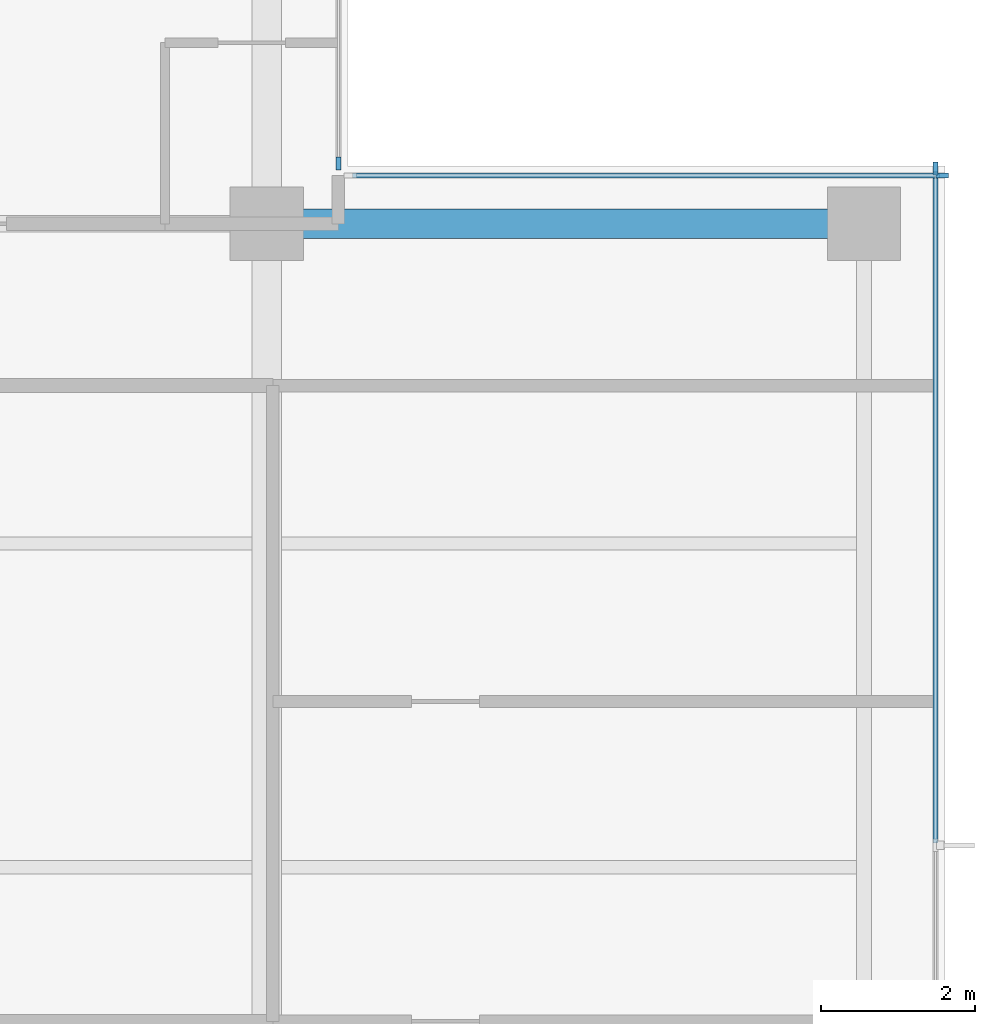
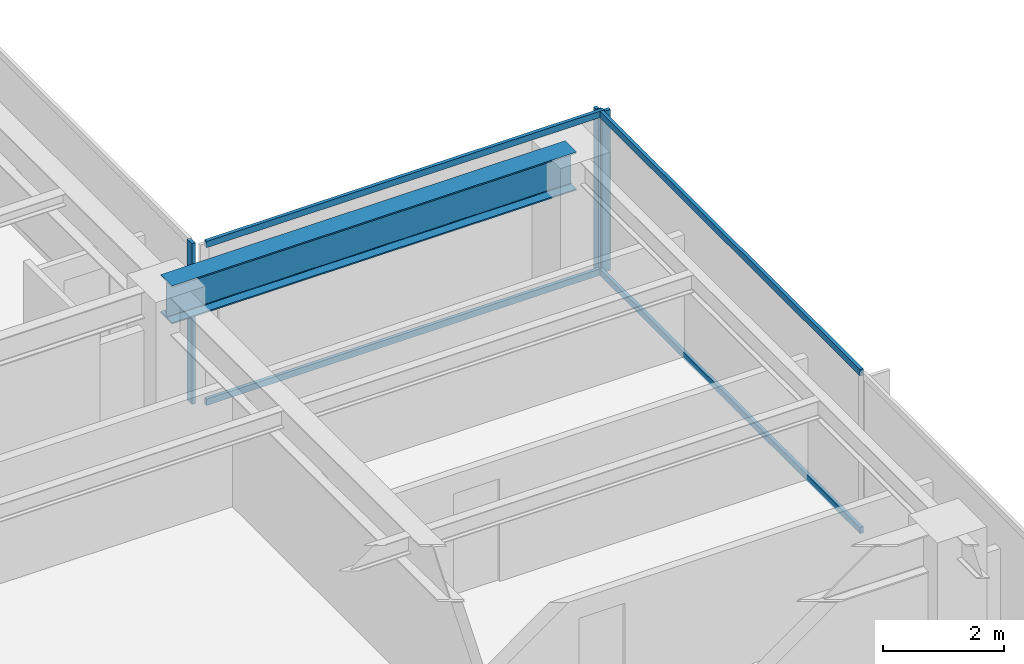
# One storey, part 4 of 14: 7 members, 1 beam, 3 elements without a shape of their own.
"""IFC4 building model written with IfcOpenShell, lengths in metres."""

from ifc_helpers import new_model, si_unit, direction, frame, origin, origin_2d, place, context, subcontext, project, spatial, rectangle, i_section, extrude, material, layer, layer_set, material_profile, profile_set, type_object, element, aggregate, save


model = new_model("IFC4")

# Units and contexts
model_context = context("Model", 3, precision=1e-05, world=origin(), true_north=direction((0.0, 1.0)))
body_context = subcontext(model_context, "Body", "Model", "MODEL_VIEW")
ifc_project = project(units=[si_unit("LENGTHUNIT", "METRE"), si_unit("AREAUNIT", "SQUARE_METRE"), si_unit("VOLUMEUNIT", "CUBIC_METRE"), si_unit("PLANEANGLEUNIT", "RADIAN"), si_unit("MASSUNIT", "GRAM", prefix="KILO")], contexts=[model_context])

# Site, building, storey
site_placement = place(None, origin())
site = spatial("IfcSite", under=ifc_project, at=site_placement, CompositionType="ELEMENT")
building_placement = place(site_placement, origin())
building = spatial("IfcBuilding", under=site, at=building_placement, Name="Qalmaran Belvedere Hotel", CompositionType="ELEMENT")
storey_placement = place(building_placement, frame((0.0, 0.0, 207.39990234375)))
storey = spatial("IfcBuildingStorey", under=building, at=storey_placement, Name="L52", CompositionType="ELEMENT", Elevation=207.39990234375)

# Beam
ifc_material_1 = material(Name="Steel S355JR", Category="steel")
ifc_material_profile_1 = material_profile(ifc_material_1, i_section(OverallWidth=0.381103515625, OverallDepth=0.77294921875, WebThickness=0.0166015625, FlangeThickness=0.027099609375, FilletRadius=0.02197265625, at=origin_2d()), Name="W760X257")
ifc_profile_set_1 = profile_set([ifc_material_profile_1], Name="Steel S355JR")
beam_type = type_object("IfcBeamType", Name="BM-PG4-W760X257", PredefinedType="USERDEFINED", material=ifc_profile_set_1)
beam_placement = place(storey_placement, frame((44.800048828125, 33.0, 2.87353515625), z_axis=(1.0, 0.0, 0.0), x_axis=(0.0, 1.0, 0.0)))
element("IfcBeam", 1, at=beam_placement, inside=storey, type_object=beam_type, Name="L52 East Wing Girder 27", ObjectType="GIRDER", PredefinedType="USERDEFINED", context=body_context, shape_type="SweptSolid", body=[
    extrude(i_section(OverallWidth=0.381103515625, OverallDepth=0.77294921875, WebThickness=0.0166015625, FlangeThickness=0.027099609375, FilletRadius=0.02197265625, at=origin_2d()), origin(), (0.0, 0.0, 1.0), 7.75),
])

# Curtain wall, member
ifc_material_2 = material(Name="Anodised Bronze Aluminium", Category="aluminium")
ifc_layer = layer(ifc_material_2, 0.18994140625, Name="Anodised Bronze Aluminium")
ifc_layer_set = layer_set([ifc_layer], Name="Anodised Bronze Aluminium")
curtain_wall_type = type_object("IfcCurtainWallType", Name="CW5-TOWER-UPPER", PredefinedType="NOTDEFINED", material=ifc_layer_set)
curtain_wall_1_placement = place(storey_placement, origin())
curtain_wall_1 = element("IfcCurtainWall", 2, at=curtain_wall_1_placement, inside=storey, type_object=curtain_wall_type, Name="L52 Curtain Wall CW5", PredefinedType="NOTDEFINED")
ifc_material_profile_2 = material_profile(ifc_material_2, rectangle(XDim=0.06494140625, YDim=0.1650390625, at=origin_2d()), Name="CWM65X165")
ifc_profile_set_2 = profile_set([ifc_material_profile_2], Name="Anodised Bronze Aluminium")
member_type_1 = type_object("IfcMemberType", Name="CWM-65X165", PredefinedType="MULLION", material=ifc_profile_set_2)
member_1_placement = place(storey_placement, frame((53.47998046875, 33.717529296875, 0.0), z_axis=(0.0, 0.0, 1.0), x_axis=(-1.0, 0.0, 0.0)))
member_1 = element("IfcMember", 3, at=member_1_placement, type_object=member_type_1, Name="CW5 mullion 4", PredefinedType="MULLION", context=body_context, shape_type="SweptSolid", body=[
    extrude(rectangle(XDim=0.06494140625, YDim=0.1650390625, at=origin_2d()), origin(), (0.0, 0.0, 1.0), 3.260009765625),
])

curtain_wall_2_placement = place(storey_placement, origin())
curtain_wall_2 = element("IfcCurtainWall", 4, at=curtain_wall_2_placement, inside=storey, type_object=curtain_wall_type, Name="L52 Curtain Wall CW5", PredefinedType="NOTDEFINED")
member_2_placement = place(storey_placement, frame((53.5673828125, 33.6298828125, 0.0), z_axis=(0.0, 0.0, 1.0), x_axis=(0.0, -1.0, 0.0)))
member_2 = element("IfcMember", 5, at=member_2_placement, type_object=member_type_1, Name="CW5 mullion 1", PredefinedType="MULLION", context=body_context, shape_type="SweptSolid", body=[
    extrude(rectangle(XDim=0.06494140625, YDim=0.1650390625, at=origin_2d()), origin(), (0.0, 0.0, 1.0), 3.260009765625),
])

curtain_wall_3_placement = place(storey_placement, origin())
curtain_wall_3 = element("IfcCurtainWall", 6, at=curtain_wall_3_placement, inside=storey, type_object=curtain_wall_type, Name="L52 Curtain Wall CW5", PredefinedType="NOTDEFINED")
member_3_placement = place(storey_placement, frame((45.72998046875, 33.782470703125, 0.0), z_axis=(0.0, 0.0, 1.0), x_axis=(-1.0, 0.0, 0.0)))
member_3 = element("IfcMember", 7, at=member_3_placement, type_object=member_type_1, Name="CW5 mullion 1", PredefinedType="MULLION", context=body_context, shape_type="SweptSolid", body=[
    extrude(rectangle(XDim=0.06494140625, YDim=0.1650390625, at=origin_2d()), origin(), (0.0, 0.0, 1.0), 3.260009765625),
])
aggregate(curtain_wall_3, [member_3])

# Member
ifc_material_profile_3 = material_profile(ifc_material_2, rectangle(XDim=0.06494140625, YDim=0.1298828125, at=origin_2d()), Name="CWT65X130")
ifc_profile_set_3 = profile_set([ifc_material_profile_3], Name="Anodised Bronze Aluminium")
member_type_2 = type_object("IfcMemberType", Name="CWT-65X130", PredefinedType="USERDEFINED", material=ifc_profile_set_3)
member_4_placement = place(storey_placement, frame((53.47998046875, 24.9658203125, 0.03271484375), z_axis=(0.0, 1.0, 0.0), x_axis=(-1.0, 0.0, 0.0)))
member_4 = element("IfcMember", 8, at=member_4_placement, type_object=member_type_2, Name="CW5 transom 3.1", ObjectType="TRANSOM", PredefinedType="USERDEFINED", context=body_context, shape_type="SweptSolid", body=[
    extrude(rectangle(XDim=0.06494140625, YDim=0.1298828125, at=origin_2d()), origin(), (0.0, 0.0, 1.0), 8.71923828125),
])

member_5_placement = place(storey_placement, frame((53.47998046875, 24.9658203125, 3.2275390625), z_axis=(0.0, 1.0, 0.0), x_axis=(-1.0, 0.0, 0.0)))
member_5 = element("IfcMember", 9, at=member_5_placement, type_object=member_type_2, Name="CW5 transom 3.2", ObjectType="TRANSOM", PredefinedType="USERDEFINED", context=body_context, shape_type="SweptSolid", body=[
    extrude(rectangle(XDim=0.06494140625, YDim=0.1298828125, at=origin_2d()), origin(), (0.0, 0.0, 1.0), 8.71923828125),
])

aggregate(curtain_wall_1, [member_1, member_4, member_5])

member_6_placement = place(storey_placement, frame((53.534912109375, 33.6298828125, 0.03271484375), z_axis=(-1.0, 0.0, 0.0), x_axis=(0.0, -1.0, 0.0)))
member_6 = element("IfcMember", 10, at=member_6_placement, type_object=member_type_2, Name="CW5 transom 1.1", ObjectType="TRANSOM", PredefinedType="USERDEFINED", context=body_context, shape_type="SweptSolid", body=[
    extrude(rectangle(XDim=0.06494140625, YDim=0.1298828125, at=origin_2d()), origin(), (0.0, 0.0, 1.0), 7.619873046875),
])

member_7_placement = place(storey_placement, frame((53.534912109375, 33.6298828125, 3.2275390625), z_axis=(-1.0, 0.0, 0.0), x_axis=(0.0, -1.0, 0.0)))
member_7 = element("IfcMember", 11, at=member_7_placement, type_object=member_type_2, Name="CW5 transom 1.2", ObjectType="TRANSOM", PredefinedType="USERDEFINED", context=body_context, shape_type="SweptSolid", body=[
    extrude(rectangle(XDim=0.06494140625, YDim=0.1298828125, at=origin_2d()), origin(), (0.0, 0.0, 1.0), 7.619873046875),
])

aggregate(curtain_wall_2, [member_2, member_6, member_7])

save(model, "model.ifc")
